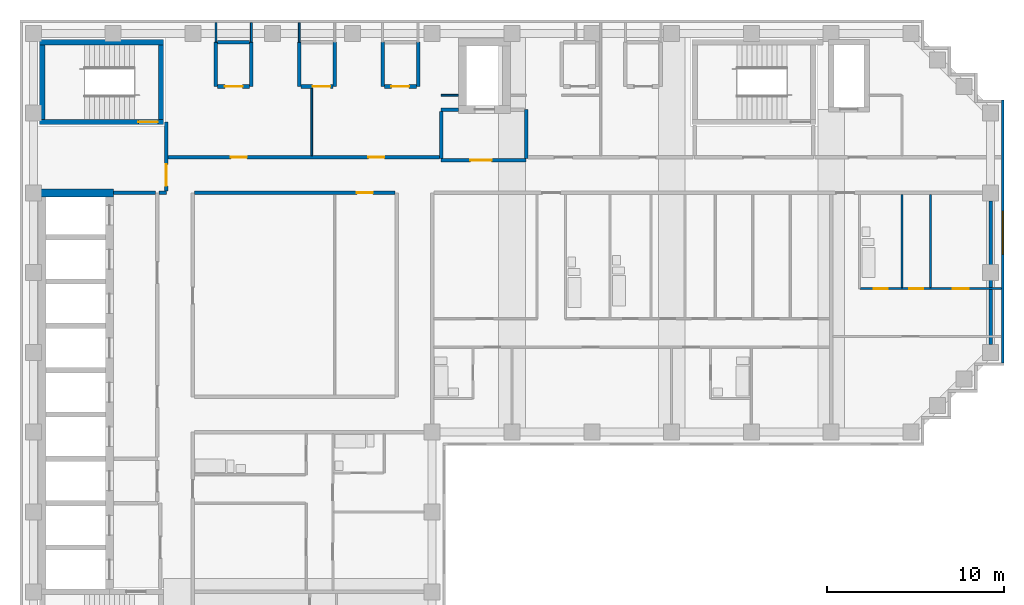
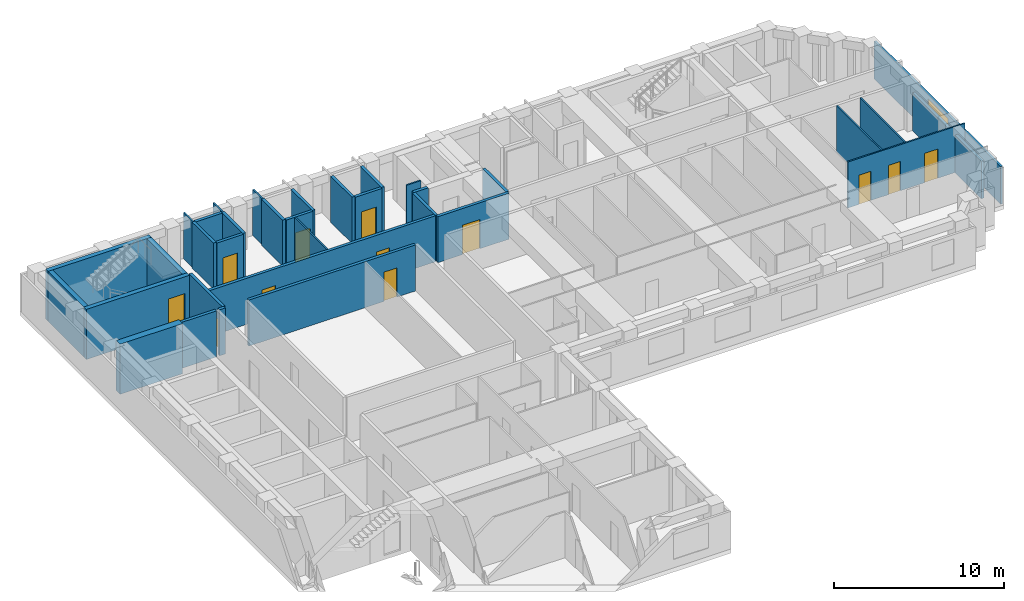
# One storey, part 5 of 9: 34 walls, 12 doors, 1 window, 13 openings.
"""IFC4 building model written with IfcOpenShell, lengths in metres."""

from ifc_helpers import new_model, si_unit, direction, frame, frame_2d, origin, place, context, subcontext, project, spatial, rectangle, extrude, material, layer, layer_set, type_object, element, fill, save


model = new_model("IFC4")

# Units and contexts
model_context = context("Model", 3, precision=1e-05, world=origin(), true_north=direction((0.0, 1.0)))
body_context = subcontext(model_context, "Body", "Model", "MODEL_VIEW")
ifc_project = project(units=[si_unit("LENGTHUNIT", "METRE"), si_unit("AREAUNIT", "SQUARE_METRE"), si_unit("VOLUMEUNIT", "CUBIC_METRE"), si_unit("PLANEANGLEUNIT", "RADIAN"), si_unit("MASSUNIT", "GRAM", prefix="KILO")], contexts=[model_context])

# Site, building, storey
site_placement = place(None, origin())
site = spatial("IfcSite", under=ifc_project, at=site_placement, CompositionType="ELEMENT")
building_placement = place(site_placement, origin())
building = spatial("IfcBuilding", under=site, at=building_placement, Name="Firuza Court", CompositionType="ELEMENT")
storey_placement = place(building_placement, frame((0.0, 0.0, 225.800048828125)))
storey = spatial("IfcBuildingStorey", under=building, at=storey_placement, Name="L58", CompositionType="ELEMENT", Elevation=225.800048828125)

# Wall
ifc_material_1 = material(Name="Moisture-resistant gypsum board partition")
ifc_layer_1 = layer(ifc_material_1, 0.10009765625)
ifc_layer_set_1 = layer_set([ifc_layer_1], Name="Moisture-resistant gypsum board partition")
wall_type_1 = type_object("IfcWallType", Name="Bathroom partition 100", PredefinedType="PLUMBINGWALL", material=ifc_layer_set_1)
wall_1_placement = place(storey_placement, frame((49.0, 44.14990234375, 0.0), z_axis=(0.0, 0.0, 1.0), x_axis=(0.0, 1.0, 0.0)))
element("IfcWall", 1, at=wall_1_placement, inside=storey, type_object=wall_type_1, Name="Bathroom partition 100 L58", PredefinedType="PLUMBINGWALL", context=body_context, shape_type="SweptSolid", body=[
    extrude(rectangle(XDim=5.25, YDim=0.10009765625, at=frame_2d((2.625, 0.0))), origin(), (0.0, 0.0, 1.0), 3.300048828125),
])

# Wall, opening, door
ifc_material_2 = material(Name="Concrete C50/60", Category="concrete")
ifc_layer_2 = layer(ifc_material_2, 0.300048828125)
ifc_layer_set_2 = layer_set([ifc_layer_2], Name="Concrete C50/60")
wall_type_2 = type_object("IfcWallType", Name="Core wall 300 C50/60", PredefinedType="SHEAR", material=ifc_layer_set_2)
wall_2_placement = place(storey_placement, frame((0.35009765625, 53.5, -0.300048828125), z_axis=(0.0, 0.0, 1.0), x_axis=(1.0, 0.0, 0.0)))
wall_2 = element("IfcWall", 2, at=wall_2_placement, inside=storey, type_object=wall_type_2, Name="Core wall stair L58", PredefinedType="SHEAR", context=body_context, shape_type="SweptSolid", body=[
    extrude(rectangle(XDim=7.0, YDim=0.300048828125, at=frame_2d((3.5, 0.0))), origin(), (0.0, 0.0, 1.0), 3.60009765625),
])
opening_1_placement = place(wall_2_placement, frame((5.580078125, 0.0, 0.300048828125)))
opening_1 = element("IfcOpeningElement", 3, at=opening_1_placement, cuts=wall_2, Name="Opening D58012", PredefinedType="OPENING", context=body_context, shape_type="SweptSolid", body=[
    extrude(rectangle(XDim=1.10009765625, YDim=2.10009765625, at=frame_2d((0.550048828125, 1.050048828125))), frame((0.0, 0.162109375, 0.0), z_axis=(0.0, -1.0, 0.0), x_axis=(1.0, 0.0, 0.0)), (0.0, 0.0, 1.0), 0.323974609375),
])
ifc_material_3 = material(Name="Timber door leaf in hardwood frame", Category="wood")
door_type_1 = type_object("IfcDoorType", Name="Stair door 1100", OperationType="SINGLE_SWING_LEFT", PredefinedType="DOOR", material=ifc_material_3)
door_1_placement = place(opening_1_placement, origin())
door_1 = element("IfcDoor", 4, at=door_1_placement, inside=storey, type_object=door_type_1, Name="Stair door S3", OperationType="SINGLE_SWING_RIGHT", OverallHeight=2.10009765625, OverallWidth=1.10009765625, PredefinedType="DOOR", context=body_context, shape_type="SweptSolid", body=[
    extrude(rectangle(XDim=1.10009765625, YDim=2.10009765625, at=frame_2d((0.550048828125, 1.050048828125))), frame((0.0, 0.02490234375, 0.0), z_axis=(0.0, -1.0, 0.0), x_axis=(1.0, 0.0, 0.0)), (0.0, 0.0, 1.0), 0.050048828125),
])
fill(opening_1, door_1)

# Walls
wall_3_placement = place(storey_placement, frame((0.35009765625, 58.0, -0.300048828125), z_axis=(0.0, 0.0, 1.0), x_axis=(1.0, 0.0, 0.0)))
element("IfcWall", 5, at=wall_3_placement, inside=storey, type_object=wall_type_2, Name="Core wall stair L58", PredefinedType="SHEAR", context=body_context, shape_type="SweptSolid", body=[
    extrude(rectangle(XDim=7.0, YDim=0.300048828125, at=frame_2d((3.5, 0.0))), origin(), (0.0, 0.0, 1.0), 3.60009765625),
])
for number, where, z_axis, x_axis, name in (
    (6, (0.5, 53.64990234375, -0.300048828125), (0.0, 0.0, 1.0), (0.0, 1.0, 0.0), "Core wall stair L58"),
    (7, (7.199951171875, 53.64990234375, -0.300048828125), (0.0, 0.0, 1.0), (0.0, 1.0, 0.0), "Core wall stair L58"),
):
    element("IfcWall", number, at=place(storey_placement, frame(where, z_axis=z_axis, x_axis=x_axis)), inside=storey, type_object=wall_type_2, Name=name, PredefinedType="SHEAR", context=body_context, shape_type="SweptSolid", body=[
        extrude(rectangle(XDim=4.2001953125, YDim=0.300048828125, at=frame_2d((2.10009765625, 0.0))), origin(), (0.0, 0.0, 1.0), 3.60009765625),
    ])
ifc_layer_3 = layer(ifc_material_2, 0.449951171875)
ifc_layer_set_3 = layer_set([ifc_layer_3], Name="Concrete C50/60")
wall_type_3 = type_object("IfcWallType", Name="Core wall 450 C50/60", PredefinedType="SHEAR", material=ifc_layer_set_3)
wall_4_placement = place(storey_placement, frame((0.27490234375, 49.5, -0.300048828125), z_axis=(0.0, 0.0, 1.0), x_axis=(1.0, 0.0, 0.0)))
element("IfcWall", 8, at=wall_4_placement, inside=storey, type_object=wall_type_3, Name="Core wall lift shaft L58", PredefinedType="SHEAR", context=body_context, shape_type="SweptSolid", body=[
    extrude(rectangle(XDim=4.25, YDim=0.449951171875, at=frame_2d((2.125, 0.0))), origin(), (0.0, 0.0, 1.0), 3.60009765625),
])

# Wall, opening, door
ifc_material_4 = material(Name="Blockwork, plastered both sides", Category="masonry")
ifc_layer_4 = layer(ifc_material_4, 0.199951171875)
ifc_layer_set_4 = layer_set([ifc_layer_4], Name="Blockwork, plastered both sides")
wall_type_4 = type_object("IfcWallType", Name="Corridor wall 200", PredefinedType="PARTITIONING", material=ifc_layer_set_4)
wall_5_placement = place(storey_placement, frame((9.10009765625, 49.5, 0.0), z_axis=(0.0, 0.0, 1.0), x_axis=(1.0, 0.0, 0.0)))
wall_5 = element("IfcWall", 9, at=wall_5_placement, inside=storey, type_object=wall_type_4, Name="Corridor wall 200 L58", PredefinedType="PARTITIONING", context=body_context, shape_type="SweptSolid", body=[
    extrude(rectangle(XDim=11.2998046875, YDim=0.199951171875, at=frame_2d((5.64990234375, 0.0))), origin(), (0.0, 0.0, 1.0), 3.300048828125),
])
opening_2_placement = place(wall_5_placement, frame((9.14990234375, 0.0, 0.0)))
opening_2 = element("IfcOpeningElement", 10, at=opening_2_placement, cuts=wall_5, Name="Opening D58045", PredefinedType="OPENING", context=body_context, shape_type="SweptSolid", body=[
    extrude(rectangle(XDim=0.89990234375, YDim=2.10009765625, at=frame_2d((0.449951171875, 1.050048828125))), frame((0.0, 0.11181640625, 0.0), z_axis=(0.0, -1.0, 0.0), x_axis=(1.0, 0.0, 0.0)), (0.0, 0.0, 1.0), 0.223876953125),
])
ifc_material_5 = material(Name="Timber door leaf in hardwood frame", Category="wood")
door_type_2 = type_object("IfcDoorType", Name="Room door 900 EI 30", OperationType="SINGLE_SWING_LEFT", PredefinedType="DOOR", material=ifc_material_5)
door_2_placement = place(opening_2_placement, origin())
door_2 = element("IfcDoor", 11, at=door_2_placement, inside=storey, type_object=door_type_2, Name="Residents' club lounge door", OperationType="SINGLE_SWING_LEFT", OverallHeight=2.10009765625, OverallWidth=0.89990234375, PredefinedType="DOOR", context=body_context, shape_type="SweptSolid", body=[
    extrude(rectangle(XDim=0.89990234375, YDim=2.10009765625, at=frame_2d((0.449951171875, 1.050048828125))), frame((0.0, 0.02490234375, 0.0), z_axis=(0.0, -1.0, 0.0), x_axis=(1.0, 0.0, 0.0)), (0.0, 0.0, 1.0), 0.050048828125),
])
fill(opening_2, door_2)

# Wall, openings, doors
wall_6_placement = place(storey_placement, frame((7.60009765625, 51.5, 0.0), z_axis=(0.0, 0.0, 1.0), x_axis=(1.0, 0.0, 0.0)))
wall_6 = element("IfcWall", 12, at=wall_6_placement, inside=storey, type_object=wall_type_4, Name="Corridor wall 200 L58", PredefinedType="PARTITIONING", context=body_context, shape_type="SweptSolid", body=[
    extrude(rectangle(XDim=15.2998046875, YDim=0.199951171875, at=frame_2d((7.64990234375, 0.0))), origin(), (0.0, 0.0, 1.0), 3.300048828125),
])
opening_3_placement = place(wall_6_placement, frame((3.550048828125, 0.0, 0.0)))
opening_3 = element("IfcOpeningElement", 13, at=opening_3_placement, cuts=wall_6, Name="Opening D58048", PredefinedType="OPENING", context=body_context, shape_type="SweptSolid", body=[
    extrude(rectangle(XDim=0.89990234375, YDim=2.10009765625, at=frame_2d((0.449951171875, 1.050048828125))), frame((0.0, 0.11181640625, 0.0), z_axis=(0.0, -1.0, 0.0), x_axis=(1.0, 0.0, 0.0)), (0.0, 0.0, 1.0), 0.223876953125),
])
opening_4_placement = place(wall_6_placement, frame((11.300048828125, 0.0, 0.0)))
opening_4 = element("IfcOpeningElement", 14, at=opening_4_placement, cuts=wall_6, Name="Opening D58049", PredefinedType="OPENING", context=body_context, shape_type="SweptSolid", body=[
    extrude(rectangle(XDim=0.89990234375, YDim=2.10009765625, at=frame_2d((0.449951171875, 1.050048828125))), frame((0.0, 0.11181640625, 0.0), z_axis=(0.0, -1.0, 0.0), x_axis=(1.0, 0.0, 0.0)), (0.0, 0.0, 1.0), 0.223876953125),
])
door_3_placement = place(opening_3_placement, origin())
door_3 = element("IfcDoor", 15, at=door_3_placement, inside=storey, type_object=door_type_2, Name="Meeting room door", OperationType="SINGLE_SWING_LEFT", OverallHeight=2.10009765625, OverallWidth=0.89990234375, PredefinedType="DOOR", context=body_context, shape_type="SweptSolid", body=[
    extrude(rectangle(XDim=0.89990234375, YDim=2.10009765625, at=frame_2d((0.449951171875, 1.050048828125))), frame((0.0, 0.02490234375, 0.0), z_axis=(0.0, -1.0, 0.0), x_axis=(1.0, 0.0, 0.0)), (0.0, 0.0, 1.0), 0.050048828125),
])
fill(opening_3, door_3)
door_4_placement = place(opening_4_placement, origin())
door_4 = element("IfcDoor", 16, at=door_4_placement, inside=storey, type_object=door_type_2, Name="Meeting room door", OperationType="SINGLE_SWING_LEFT", OverallHeight=2.10009765625, OverallWidth=0.89990234375, PredefinedType="DOOR", context=body_context, shape_type="SweptSolid", body=[
    extrude(rectangle(XDim=0.89990234375, YDim=2.10009765625, at=frame_2d((0.449951171875, 1.050048828125))), frame((0.0, 0.02490234375, 0.0), z_axis=(0.0, -1.0, 0.0), x_axis=(1.0, 0.0, 0.0)), (0.0, 0.0, 1.0), 0.050048828125),
])
fill(opening_4, door_4)

ifc_material_6 = material(Name="Timber stud partition, plasterboard both sides", Category="wood")
ifc_layer_5 = layer(ifc_material_6, 0.10009765625)
ifc_layer_set_5 = layer_set([ifc_layer_5], Name="Timber stud partition, plasterboard both sides")
wall_type_5 = type_object("IfcWallType", Name="Partition wall 100", PredefinedType="PARTITIONING", material=ifc_layer_set_5)
wall_7_placement = place(storey_placement, frame((46.64990234375, 44.10009765625, 0.0), z_axis=(0.0, 0.0, 1.0), x_axis=(1.0, 0.0, 0.0)))
wall_7 = element("IfcWall", 17, at=wall_7_placement, inside=storey, type_object=wall_type_5, Name="Partition wall 100 L58", PredefinedType="PARTITIONING", context=body_context, shape_type="SweptSolid", body=[
    extrude(rectangle(XDim=7.9501953125, YDim=0.10009765625, at=frame_2d((3.97509765625, 0.0))), origin(), (0.0, 0.0, 1.0), 3.300048828125),
])
opening_5_placement = place(wall_7_placement, frame((0.75, 0.0, 0.0)))
opening_5 = element("IfcOpeningElement", 18, at=opening_5_placement, cuts=wall_7, Name="Opening D58042", PredefinedType="OPENING", context=body_context, shape_type="SweptSolid", body=[
    extrude(rectangle(XDim=0.800048828125, YDim=2.10009765625, at=frame_2d((0.39990234375, 1.050048828125))), frame((0.0, 0.06201171875, 0.0), z_axis=(0.0, -1.0, 0.0), x_axis=(1.0, 0.0, 0.0)), (0.0, 0.0, 1.0), 0.1240234375),
])
opening_6_placement = place(wall_7_placement, frame((5.199951171875, 0.0, 0.0)))
opening_6 = element("IfcOpeningElement", 19, at=opening_6_placement, cuts=wall_7, Name="Opening D58043", PredefinedType="OPENING", context=body_context, shape_type="SweptSolid", body=[
    extrude(rectangle(XDim=0.89990234375, YDim=2.10009765625, at=frame_2d((0.449951171875, 1.050048828125))), frame((0.0, 0.06201171875, 0.0), z_axis=(0.0, -1.0, 0.0), x_axis=(1.0, 0.0, 0.0)), (0.0, 0.0, 1.0), 0.1240234375),
])
opening_7_placement = place(wall_7_placement, frame((2.75, 0.0, 0.0)))
opening_7 = element("IfcOpeningElement", 20, at=opening_7_placement, cuts=wall_7, Name="Opening D58044", PredefinedType="OPENING", context=body_context, shape_type="SweptSolid", body=[
    extrude(rectangle(XDim=0.800048828125, YDim=2.10009765625, at=frame_2d((0.39990234375, 1.050048828125))), frame((0.0, 0.06201171875, 0.0), z_axis=(0.0, -1.0, 0.0), x_axis=(1.0, 0.0, 0.0)), (0.0, 0.0, 1.0), 0.1240234375),
])
ifc_material_7 = material(Name="Timber door leaf in hardwood frame", Category="wood")
door_type_3 = type_object("IfcDoorType", Name="Bathroom door 800", OperationType="SINGLE_SWING_LEFT", PredefinedType="DOOR", material=ifc_material_7)
door_5_placement = place(opening_5_placement, origin())
door_5 = element("IfcDoor", 21, at=door_5_placement, inside=storey, type_object=door_type_3, Name="Bathroom door", OperationType="SINGLE_SWING_LEFT", OverallHeight=2.10009765625, OverallWidth=0.800048828125, PredefinedType="DOOR", context=body_context, shape_type="SweptSolid", body=[
    extrude(rectangle(XDim=0.800048828125, YDim=2.10009765625, at=frame_2d((0.39990234375, 1.050048828125))), frame((0.0, 0.02490234375, 0.0), z_axis=(0.0, -1.0, 0.0), x_axis=(1.0, 0.0, 0.0)), (0.0, 0.0, 1.0), 0.050048828125),
])
fill(opening_5, door_5)
ifc_material_8 = material(Name="Timber door leaf in hardwood frame", Category="wood")
door_type_4 = type_object("IfcDoorType", Name="Room door 800", OperationType="SINGLE_SWING_LEFT", PredefinedType="DOOR", material=ifc_material_8)
door_6_placement = place(opening_7_placement, origin())
door_6 = element("IfcDoor", 22, at=door_6_placement, inside=storey, type_object=door_type_4, Name="Store door", OperationType="SINGLE_SWING_LEFT", OverallHeight=2.10009765625, OverallWidth=0.800048828125, PredefinedType="DOOR", context=body_context, shape_type="SweptSolid", body=[
    extrude(rectangle(XDim=0.800048828125, YDim=2.10009765625, at=frame_2d((0.39990234375, 1.050048828125))), frame((0.0, 0.02490234375, 0.0), z_axis=(0.0, -1.0, 0.0), x_axis=(1.0, 0.0, 0.0)), (0.0, 0.0, 1.0), 0.050048828125),
])
fill(opening_7, door_6)
ifc_material_9 = material(Name="Timber door leaf in hardwood frame", Category="wood")
door_type_5 = type_object("IfcDoorType", Name="Room door 900", OperationType="SINGLE_SWING_LEFT", PredefinedType="DOOR", material=ifc_material_9)
door_7_placement = place(opening_6_placement, origin())
door_7 = element("IfcDoor", 23, at=door_7_placement, inside=storey, type_object=door_type_5, Name="Kitchen door", OperationType="SINGLE_SWING_LEFT", OverallHeight=2.10009765625, OverallWidth=0.89990234375, PredefinedType="DOOR", context=body_context, shape_type="SweptSolid", body=[
    extrude(rectangle(XDim=0.89990234375, YDim=2.10009765625, at=frame_2d((0.449951171875, 1.050048828125))), frame((0.0, 0.02490234375, 0.0), z_axis=(0.0, -1.0, 0.0), x_axis=(1.0, 0.0, 0.0)), (0.0, 0.0, 1.0), 0.050048828125),
])
fill(opening_6, door_7)

# Walls
wall_8_placement = place(storey_placement, frame((50.60009765625, 44.14990234375, 0.0), z_axis=(0.0, 0.0, 1.0), x_axis=(0.0, 1.0, 0.0)))
element("IfcWall", 24, at=wall_8_placement, inside=storey, type_object=wall_type_5, Name="Partition wall 100 L58", PredefinedType="PARTITIONING", context=body_context, shape_type="SweptSolid", body=[
    extrude(rectangle(XDim=5.25, YDim=0.10009765625, at=frame_2d((2.625, 0.0))), origin(), (0.0, 0.0, 1.0), 3.300048828125),
])
wall_9_placement = place(storey_placement, frame((15.699951171875, 51.60009765625, 0.0), z_axis=(0.0, 0.0, 1.0), x_axis=(0.0, 1.0, 0.0)))
element("IfcWall", 25, at=wall_9_placement, inside=storey, type_object=wall_type_5, Name="Partition wall 100 L58", PredefinedType="PARTITIONING", context=body_context, shape_type="SweptSolid", body=[
    extrude(rectangle(XDim=3.7998046875, YDim=0.10009765625, at=frame_2d((1.89990234375, 0.0))), origin(), (0.0, 0.0, 1.0), 3.300048828125),
])
wall_10_placement = place(storey_placement, frame((23.0, 55.0, 0.0), z_axis=(0.0, 0.0, 1.0), x_axis=(1.0, 0.0, 0.0)))
element("IfcWall", 26, at=wall_10_placement, inside=storey, type_object=wall_type_5, Name="Partition wall 100 L58", PredefinedType="PARTITIONING", context=body_context, shape_type="SweptSolid", body=[
    extrude(rectangle(XDim=0.97509765625, YDim=0.10009765625, at=frame_2d((0.487548828125, 0.0))), origin(), (0.0, 0.0, 1.0), 3.300048828125),
])
for number, where, z_axis, x_axis, name in (
    (27, (10.300048828125, 58.0, 0.0), (0.0, 0.0, 1.0), (0.0, 1.0, 0.0), "Partition wall 100 L58"),
    (28, (12.300048828125, 58.0, 0.0), (0.0, 0.0, 1.0), (0.0, 1.0, 0.0), "Partition wall 100 L58"),
    (29, (15.0, 58.0, 0.0), (0.0, 0.0, 1.0), (0.0, 1.0, 0.0), "Partition wall 100 L58"),
):
    element("IfcWall", number, at=place(storey_placement, frame(where, z_axis=z_axis, x_axis=x_axis)), inside=storey, type_object=wall_type_5, Name=name, PredefinedType="PARTITIONING", context=body_context, shape_type="SweptSolid", body=[
        extrude(rectangle(XDim=1.10009765625, YDim=0.10009765625, at=frame_2d((0.550048828125, 0.0))), origin(), (0.0, 0.0, 1.0), 3.300048828125),
    ])
ifc_layer_6 = layer(ifc_material_4, 0.199951171875)
ifc_layer_set_6 = layer_set([ifc_layer_6], Name="Blockwork, plastered both sides")
wall_type_6 = type_object("IfcWallType", Name="Party wall 200", PredefinedType="PARTITIONING", material=ifc_layer_set_6)
wall_11_placement = place(storey_placement, frame((54.0, 40.949951171875, 0.0), z_axis=(0.0, 0.0, 1.0), x_axis=(0.0, 1.0, 0.0)))
element("IfcWall", 30, at=wall_11_placement, inside=storey, type_object=wall_type_6, Name="Party wall 200 L58", PredefinedType="PARTITIONING", context=body_context, shape_type="SweptSolid", body=[
    extrude(rectangle(XDim=8.10009765625, YDim=0.199951171875, at=frame_2d((4.050048828125, 0.0))), origin(), (0.0, 0.0, 1.0), 2.699951171875),
])
ifc_material_10 = material(Name="Blockwork, fire-rated", Category="masonry")
ifc_layer_7 = layer(ifc_material_10, 0.199951171875)
ifc_layer_set_7 = layer_set([ifc_layer_7], Name="Blockwork, fire-rated")
wall_type_7 = type_object("IfcWallType", Name="Plant room wall 200", PredefinedType="PARTITIONING", material=ifc_layer_set_7)
wall_12_placement = place(storey_placement, frame((10.300048828125, 55.5, 0.0), z_axis=(0.0, 0.0, 1.0), x_axis=(0.0, 1.0, 0.0)))
element("IfcWall", 31, at=wall_12_placement, inside=storey, type_object=wall_type_7, Name="Plant room wall 200 L58", PredefinedType="PARTITIONING", context=body_context, shape_type="SweptSolid", body=[
    extrude(rectangle(XDim=2.5, YDim=0.199951171875, at=frame_2d((1.25, 0.0))), origin(), (0.0, 0.0, 1.0), 3.300048828125),
])

# Wall, opening, door
wall_13_placement = place(storey_placement, frame((10.39990234375, 55.5, 0.0), z_axis=(0.0, 0.0, 1.0), x_axis=(1.0, 0.0, 0.0)))
wall_13 = element("IfcWall", 32, at=wall_13_placement, inside=storey, type_object=wall_type_7, Name="Plant room wall 200 L58", PredefinedType="PARTITIONING", context=body_context, shape_type="SweptSolid", body=[
    extrude(rectangle(XDim=1.800048828125, YDim=0.199951171875, at=frame_2d((0.89990234375, 0.0))), origin(), (0.0, 0.0, 1.0), 3.300048828125),
])
opening_8_placement = place(wall_13_placement, frame((0.39990234375, 0.0, 0.0)))
opening_8 = element("IfcOpeningElement", 33, at=opening_8_placement, cuts=wall_13, Name="Opening D58054", PredefinedType="OPENING", context=body_context, shape_type="SweptSolid", body=[
    extrude(rectangle(XDim=1.0, YDim=2.10009765625, at=frame_2d((0.5, 1.050048828125))), frame((0.0, 0.11181640625, 0.0), z_axis=(0.0, -1.0, 0.0), x_axis=(1.0, 0.0, 0.0)), (0.0, 0.0, 1.0), 0.223876953125),
])
ifc_material_11 = material(Name="Timber door leaf in hardwood frame", Category="wood")
door_type_6 = type_object("IfcDoorType", Name="Riser door 1000", OperationType="SINGLE_SWING_LEFT", PredefinedType="DOOR", material=ifc_material_11)
door_8_placement = place(opening_8_placement, origin())
door_8 = element("IfcDoor", 34, at=door_8_placement, inside=storey, type_object=door_type_6, Name="Comms riser door", OperationType="SINGLE_SWING_LEFT", OverallHeight=2.10009765625, OverallWidth=1.0, PredefinedType="DOOR", context=body_context, shape_type="SweptSolid", body=[
    extrude(rectangle(XDim=1.0, YDim=2.10009765625, at=frame_2d((0.5, 1.050048828125))), frame((0.0, 0.02490234375, 0.0), z_axis=(0.0, -1.0, 0.0), x_axis=(1.0, 0.0, 0.0)), (0.0, 0.0, 1.0), 0.050048828125),
])
fill(opening_8, door_8)

# Walls
for number, where, z_axis, x_axis, name in (
    (35, (12.300048828125, 55.5, 0.0), (0.0, 0.0, 1.0), (0.0, 1.0, 0.0), "Plant room wall 200 L58"),
    (36, (15.0, 55.5, 0.0), (0.0, 0.0, 1.0), (0.0, 1.0, 0.0), "Plant room wall 200 L58"),
):
    element("IfcWall", number, at=place(storey_placement, frame(where, z_axis=z_axis, x_axis=x_axis)), inside=storey, type_object=wall_type_7, Name=name, PredefinedType="PARTITIONING", context=body_context, shape_type="SweptSolid", body=[
        extrude(rectangle(XDim=2.5, YDim=0.199951171875, at=frame_2d((1.25, 0.0))), origin(), (0.0, 0.0, 1.0), 3.300048828125),
    ])

# Wall, opening, door
wall_14_placement = place(storey_placement, frame((15.10009765625, 55.5, 0.0), z_axis=(0.0, 0.0, 1.0), x_axis=(1.0, 0.0, 0.0)))
wall_14 = element("IfcWall", 37, at=wall_14_placement, inside=storey, type_object=wall_type_7, Name="Plant room wall 200 L58", PredefinedType="PARTITIONING", context=body_context, shape_type="SweptSolid", body=[
    extrude(rectangle(XDim=1.7998046875, YDim=0.199951171875, at=frame_2d((0.89990234375, 0.0))), origin(), (0.0, 0.0, 1.0), 3.300048828125),
])
opening_9_placement = place(wall_14_placement, frame((0.64990234375, 0.0, 0.0)))
opening_9 = element("IfcOpeningElement", 38, at=opening_9_placement, cuts=wall_14, Name="Opening D58055", PredefinedType="OPENING", context=body_context, shape_type="SweptSolid", body=[
    extrude(rectangle(XDim=1.0, YDim=2.10009765625, at=frame_2d((0.5, 1.050048828125))), frame((0.0, 0.11181640625, 0.0), z_axis=(0.0, -1.0, 0.0), x_axis=(1.0, 0.0, 0.0)), (0.0, 0.0, 1.0), 0.223876953125),
])
door_9_placement = place(opening_9_placement, origin())
door_9 = element("IfcDoor", 39, at=door_9_placement, inside=storey, type_object=door_type_6, Name="Electrical riser door", OperationType="SINGLE_SWING_RIGHT", OverallHeight=2.10009765625, OverallWidth=1.0, PredefinedType="DOOR", context=body_context, shape_type="SweptSolid", body=[
    extrude(rectangle(XDim=1.0, YDim=2.10009765625, at=frame_2d((0.5, 1.050048828125))), frame((0.0, 0.02490234375, 0.0), z_axis=(0.0, -1.0, 0.0), x_axis=(1.0, 0.0, 0.0)), (0.0, 0.0, 1.0), 0.050048828125),
])
fill(opening_9, door_9)

# Walls
for number, where, z_axis, x_axis, name in (
    (40, (17.0, 55.5, 0.0), (0.0, 0.0, 1.0), (0.0, 1.0, 0.0), "Plant room wall 200 L58"),
    (41, (19.699951171875, 55.5, 0.0), (0.0, 0.0, 1.0), (0.0, 1.0, 0.0), "Plant room wall 200 L58"),
):
    element("IfcWall", number, at=place(storey_placement, frame(where, z_axis=z_axis, x_axis=x_axis)), inside=storey, type_object=wall_type_7, Name=name, PredefinedType="PARTITIONING", context=body_context, shape_type="SweptSolid", body=[
        extrude(rectangle(XDim=2.5, YDim=0.199951171875, at=frame_2d((1.25, 0.0))), origin(), (0.0, 0.0, 1.0), 3.300048828125),
    ])

# Wall, opening, door
wall_15_placement = place(storey_placement, frame((19.800048828125, 55.5, 0.0), z_axis=(0.0, 0.0, 1.0), x_axis=(1.0, 0.0, 0.0)))
wall_15 = element("IfcWall", 42, at=wall_15_placement, inside=storey, type_object=wall_type_7, Name="Plant room wall 200 L58", PredefinedType="PARTITIONING", context=body_context, shape_type="SweptSolid", body=[
    extrude(rectangle(XDim=1.800048828125, YDim=0.199951171875, at=frame_2d((0.89990234375, 0.0))), origin(), (0.0, 0.0, 1.0), 3.300048828125),
])
opening_10_placement = place(wall_15_placement, frame((0.39990234375, 0.0, 0.0)))
opening_10 = element("IfcOpeningElement", 43, at=opening_10_placement, cuts=wall_15, Name="Opening D58056", PredefinedType="OPENING", context=body_context, shape_type="SweptSolid", body=[
    extrude(rectangle(XDim=1.0, YDim=2.10009765625, at=frame_2d((0.5, 1.050048828125))), frame((0.0, 0.11181640625, 0.0), z_axis=(0.0, -1.0, 0.0), x_axis=(1.0, 0.0, 0.0)), (0.0, 0.0, 1.0), 0.223876953125),
])
door_10_placement = place(opening_10_placement, origin())
door_10 = element("IfcDoor", 44, at=door_10_placement, inside=storey, type_object=door_type_6, Name="Duct riser door", OperationType="SINGLE_SWING_LEFT", OverallHeight=2.10009765625, OverallWidth=1.0, PredefinedType="DOOR", context=body_context, shape_type="SweptSolid", body=[
    extrude(rectangle(XDim=1.0, YDim=2.10009765625, at=frame_2d((0.5, 1.050048828125))), frame((0.0, 0.02490234375, 0.0), z_axis=(0.0, -1.0, 0.0), x_axis=(1.0, 0.0, 0.0)), (0.0, 0.0, 1.0), 0.050048828125),
])
fill(opening_10, door_10)

# Walls
wall_16_placement = place(storey_placement, frame((21.699951171875, 55.5, 0.0), z_axis=(0.0, 0.0, 1.0), x_axis=(0.0, 1.0, 0.0)))
element("IfcWall", 45, at=wall_16_placement, inside=storey, type_object=wall_type_7, Name="Plant room wall 200 L58", PredefinedType="PARTITIONING", context=body_context, shape_type="SweptSolid", body=[
    extrude(rectangle(XDim=2.5, YDim=0.199951171875, at=frame_2d((1.25, 0.0))), origin(), (0.0, 0.0, 1.0), 3.300048828125),
])
wall_17_placement = place(storey_placement, frame((10.39990234375, 58.0, 0.0), z_axis=(0.0, 0.0, 1.0), x_axis=(1.0, 0.0, 0.0)))
element("IfcWall", 46, at=wall_17_placement, inside=storey, type_object=wall_type_7, Name="Plant room wall 200 L58", PredefinedType="PARTITIONING", context=body_context, shape_type="SweptSolid", body=[
    extrude(rectangle(XDim=1.800048828125, YDim=0.199951171875, at=frame_2d((0.89990234375, 0.0))), origin(), (0.0, 0.0, 1.0), 3.300048828125),
])

# Wall, opening, window
ifc_material_12 = material(Name="Ceramic tile", Category="ceramic")
ifc_layer_8 = layer(ifc_material_12, 0.02001953125)
ifc_material_13 = material(Name="Mineral wool insulation", Category="insulation")
ifc_layer_9 = layer(ifc_material_13, 0.050048828125)
ifc_material_14 = material(Name="Concrete C40/50 precast", Category="concrete")
ifc_layer_10 = layer(ifc_material_14, 0.080078125)
ifc_layer_set_8 = layer_set([ifc_layer_8, ifc_layer_9, ifc_layer_10], Name="Concrete C40/50 precast")
wall_type_8 = type_object("IfcWallType", Name="Precast cladding wall with turquoise TILE PANEL face 150", PredefinedType="STANDARD", material=ifc_layer_set_8)
wall_18_placement = place(storey_placement, frame((54.675048828125, 39.89990234375, 0.0), z_axis=(0.0, 0.0, 1.0), x_axis=(0.0, 1.0, 0.0)))
wall_18 = element("IfcWall", 47, at=wall_18_placement, inside=storey, type_object=wall_type_8, Name="Facade wall L58 E", PredefinedType="STANDARD", context=body_context, shape_type="SweptSolid", body=[
    extrude(rectangle(XDim=14.85009765625, YDim=0.14990234375, at=frame_2d((7.425048828125, 0.0))), origin(), (0.0, 0.0, 1.0), 2.699951171875),
])
opening_11_placement = place(wall_18_placement, frame((6.14990234375, 0.0, 0.60009765625)))
opening_11 = element("IfcOpeningElement", 48, at=opening_11_placement, cuts=wall_18, Name="Opening W1", PredefinedType="OPENING", context=body_context, shape_type="SweptSolid", body=[
    extrude(rectangle(XDim=2.39990234375, YDim=1.800048828125, at=frame_2d((1.199951171875, 0.89990234375))), frame((0.0, 0.0869140625, 0.0), z_axis=(0.0, -1.0, 0.0), x_axis=(1.0, 0.0, 0.0)), (0.0, 0.0, 1.0), 0.173828125),
])
ifc_material_15 = material(Name="Aluminium frame, triple clear glazing", Category="aluminium")
window_type = type_object("IfcWindowType", Name="Window W1 2400 x 1800", PartitioningType="SINGLE_PANEL", PredefinedType="WINDOW", material=ifc_material_15)
window_placement = place(opening_11_placement, origin())
window = element("IfcWindow", 49, at=window_placement, inside=storey, type_object=window_type, Name="Window L58", OverallHeight=1.800048828125, OverallWidth=2.39990234375, PartitioningType="SINGLE_PANEL", PredefinedType="WINDOW", context=body_context, shape_type="SweptSolid", body=[
    extrude(rectangle(XDim=2.39990234375, YDim=1.800048828125, at=frame_2d((1.199951171875, 0.89990234375))), frame((0.0, 0.030029296875, 0.0), z_axis=(0.0, -1.0, 0.0), x_axis=(1.0, 0.0, 0.0)), (0.0, 0.0, 1.0), 0.06005859375),
])
fill(opening_11, window)

# Wall
ifc_layer_11 = layer(ifc_material_10, 0.199951171875)
ifc_layer_set_9 = layer_set([ifc_layer_11], Name="Blockwork, fire-rated")
wall_type_9 = type_object("IfcWallType", Name="Shaft wall 200", PredefinedType="PARTITIONING", material=ifc_layer_set_9)
wall_19_placement = place(storey_placement, frame((4.52490234375, 49.5, 0.0), z_axis=(0.0, 0.0, 1.0), x_axis=(1.0, 0.0, 0.0)))
element("IfcWall", 50, at=wall_19_placement, inside=storey, type_object=wall_type_9, Name="Shaft wall 200 L58", PredefinedType="PARTITIONING", context=body_context, shape_type="SweptSolid", body=[
    extrude(rectangle(XDim=2.375, YDim=0.199951171875, at=frame_2d((1.1875, 0.0))), origin(), (0.0, 0.0, 1.0), 3.300048828125),
])

# Wall, opening, door
wall_20_placement = place(storey_placement, frame((23.0, 51.35009765625, 0.0), z_axis=(0.0, 0.0, 1.0), x_axis=(1.0, 0.0, 0.0)))
wall_20 = element("IfcWall", 51, at=wall_20_placement, inside=storey, type_object=wall_type_9, Name="Shaft wall 200 L58", PredefinedType="PARTITIONING", context=body_context, shape_type="SweptSolid", body=[
    extrude(rectangle(XDim=4.800048828125, YDim=0.199951171875, at=frame_2d((2.39990234375, 0.0))), origin(), (0.0, 0.0, 1.0), 3.300048828125),
])
opening_12_placement = place(wall_20_placement, frame((1.64990234375, 0.0, 0.0)))
opening_12 = element("IfcOpeningElement", 52, at=opening_12_placement, cuts=wall_20, Name="Opening D58003", PredefinedType="OPENING", context=body_context, shape_type="SweptSolid", body=[
    extrude(rectangle(XDim=1.199951171875, YDim=2.10009765625, at=frame_2d((0.60009765625, 1.050048828125))), frame((0.0, 0.11181640625, 0.0), z_axis=(0.0, -1.0, 0.0), x_axis=(1.0, 0.0, 0.0)), (0.0, 0.0, 1.0), 0.223876953125),
])
ifc_material_16 = material(Name="Timber door leaf in hardwood frame", Category="wood")
door_type_7 = type_object("IfcDoorType", Name="Lobby door 1200", OperationType="SINGLE_SWING_LEFT", PredefinedType="DOOR", material=ifc_material_16)
door_11_placement = place(opening_12_placement, origin())
door_11 = element("IfcDoor", 53, at=door_11_placement, inside=storey, type_object=door_type_7, Name="Fire-fighting lobby door", OperationType="SINGLE_SWING_LEFT", OverallHeight=2.10009765625, OverallWidth=1.199951171875, PredefinedType="DOOR", context=body_context, shape_type="SweptSolid", body=[
    extrude(rectangle(XDim=1.199951171875, YDim=2.10009765625, at=frame_2d((0.60009765625, 1.050048828125))), frame((0.0, 0.02490234375, 0.0), z_axis=(0.0, -1.0, 0.0), x_axis=(1.0, 0.0, 0.0)), (0.0, 0.0, 1.0), 0.050048828125),
])
fill(opening_12, door_11)

# Walls
wall_21_placement = place(storey_placement, frame((27.800048828125, 51.449951171875, 0.0), z_axis=(0.0, 0.0, 1.0), x_axis=(0.0, 1.0, 0.0)))
element("IfcWall", 54, at=wall_21_placement, inside=storey, type_object=wall_type_9, Name="Shaft wall 200 L58", PredefinedType="PARTITIONING", context=body_context, shape_type="SweptSolid", body=[
    extrude(rectangle(XDim=2.75, YDim=0.199951171875, at=frame_2d((1.375, 0.0))), origin(), (0.0, 0.0, 1.0), 3.300048828125),
])
wall_22_placement = place(storey_placement, frame((23.0, 54.199951171875, 0.0), z_axis=(0.0, 0.0, 1.0), x_axis=(1.0, 0.0, 0.0)))
element("IfcWall", 55, at=wall_22_placement, inside=storey, type_object=wall_type_9, Name="Shaft wall 200 L58", PredefinedType="PARTITIONING", context=body_context, shape_type="SweptSolid", body=[
    extrude(rectangle(XDim=0.97509765625, YDim=0.199951171875, at=frame_2d((0.487548828125, 0.0))), origin(), (0.0, 0.0, 1.0), 3.300048828125),
])
wall_23_placement = place(storey_placement, frame((23.0, 51.449951171875, 0.0), z_axis=(0.0, 0.0, 1.0), x_axis=(0.0, 1.0, 0.0)))
element("IfcWall", 56, at=wall_23_placement, inside=storey, type_object=wall_type_9, Name="Shaft wall 200 L58", PredefinedType="PARTITIONING", context=body_context, shape_type="SweptSolid", body=[
    extrude(rectangle(XDim=2.650146484375, YDim=0.199951171875, at=frame_2d((1.3251953125, 0.0))), origin(), (0.0, 0.0, 1.0), 3.300048828125),
])
wall_24_placement = place(storey_placement, frame((7.10009765625, 49.5, 0.0), z_axis=(0.0, 0.0, 1.0), x_axis=(1.0, 0.0, 0.0)))
element("IfcWall", 57, at=wall_24_placement, inside=storey, type_object=wall_type_9, Name="Shaft wall 200 L58", PredefinedType="PARTITIONING", context=body_context, shape_type="SweptSolid", body=[
    extrude(rectangle(XDim=0.39990234375, YDim=0.199951171875, at=frame_2d((0.199951171875, 0.0))), origin(), (0.0, 0.0, 1.0), 3.300048828125),
])

# Wall, opening, door
wall_25_placement = place(storey_placement, frame((7.5, 49.60009765625, 0.0), z_axis=(0.0, 0.0, 1.0), x_axis=(0.0, 1.0, 0.0)))
wall_25 = element("IfcWall", 58, at=wall_25_placement, inside=storey, type_object=wall_type_9, Name="Shaft wall 200 L58", PredefinedType="PARTITIONING", context=body_context, shape_type="SweptSolid", body=[
    extrude(rectangle(XDim=3.89990234375, YDim=0.199951171875, at=frame_2d((1.949951171875, 0.0))), origin(), (0.0, 0.0, 1.0), 3.300048828125),
])
opening_13_placement = place(wall_25_placement, frame((0.300048828125, 0.0, 0.0)))
opening_13 = element("IfcOpeningElement", 59, at=opening_13_placement, cuts=wall_25, Name="Opening D58001", PredefinedType="OPENING", context=body_context, shape_type="SweptSolid", body=[
    extrude(rectangle(XDim=1.199951171875, YDim=2.10009765625, at=frame_2d((0.60009765625, 1.050048828125))), frame((0.0, 0.11181640625, 0.0), z_axis=(0.0, -1.0, 0.0), x_axis=(1.0, 0.0, 0.0)), (0.0, 0.0, 1.0), 0.223876953125),
])
door_12_placement = place(opening_13_placement, origin())
door_12 = element("IfcDoor", 60, at=door_12_placement, inside=storey, type_object=door_type_7, Name="Lobby door", OperationType="SINGLE_SWING_LEFT", OverallHeight=2.10009765625, OverallWidth=1.199951171875, PredefinedType="DOOR", context=body_context, shape_type="SweptSolid", body=[
    extrude(rectangle(XDim=1.199951171875, YDim=2.10009765625, at=frame_2d((0.60009765625, 1.050048828125))), frame((0.0, 0.02490234375, 0.0), z_axis=(0.0, -1.0, 0.0), x_axis=(1.0, 0.0, 0.0)), (0.0, 0.0, 1.0), 0.050048828125),
])
fill(opening_13, door_12)

save(model, "model.ifc")
